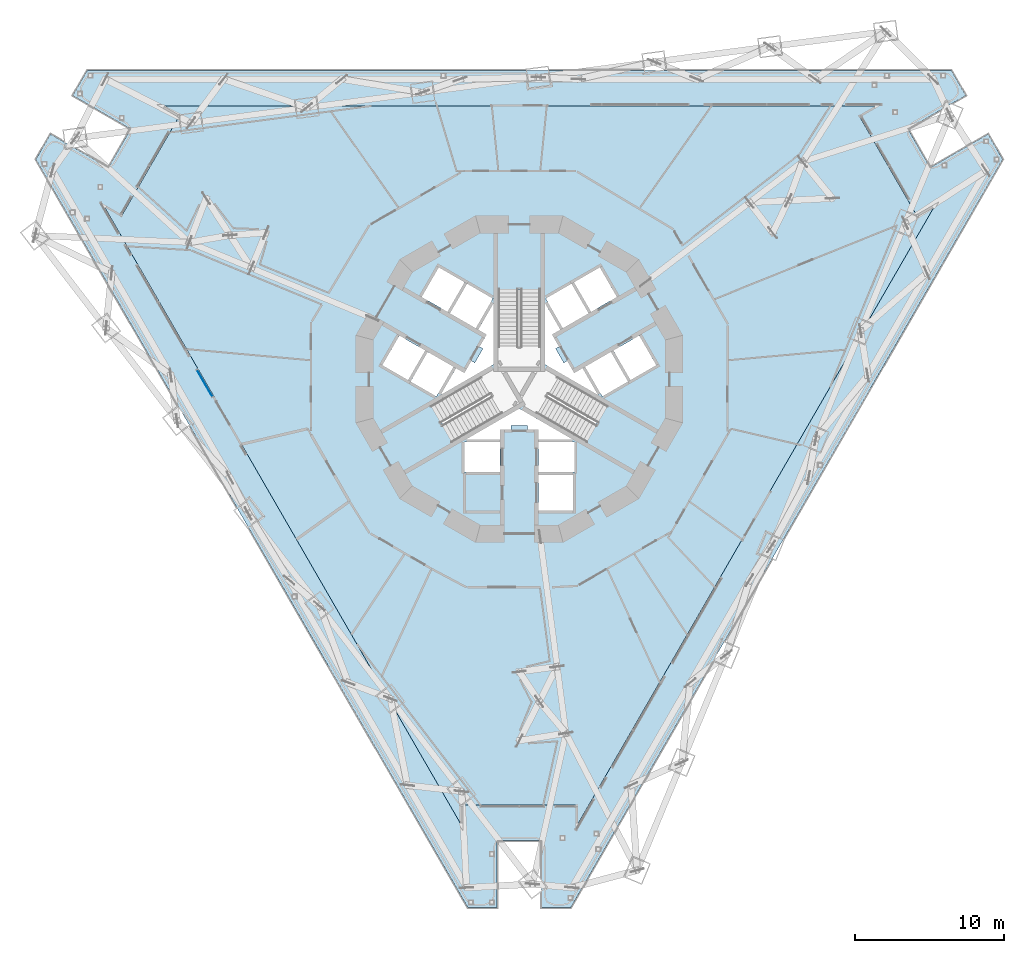
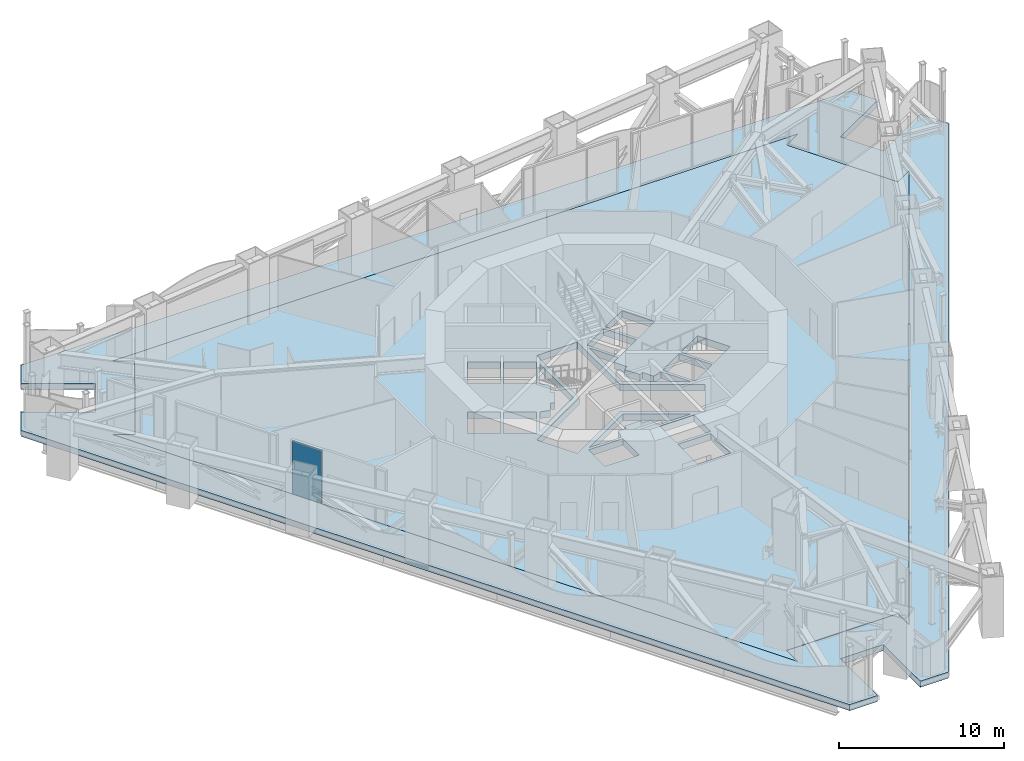
# One storey, part 10 of 28: 2 slabs, 1 plate, 1 element without a shape of its own.
"""IFC4 building model written with IfcOpenShell, lengths in metres."""

from ifc_helpers import new_model, si_unit, direction, frame, origin, origin_2d, place, context, subcontext, project, spatial, polyline, rectangle, outline, extrude, material, layer, layer_set, type_object, element, aggregate, save


model = new_model("IFC4")

# Units and contexts
model_context = context("Model", 3, precision=1e-05, world=origin(), true_north=direction((0.0, 1.0)))
body_context = subcontext(model_context, "Body", "Model", "MODEL_VIEW")
ifc_project = project(units=[si_unit("LENGTHUNIT", "METRE"), si_unit("AREAUNIT", "SQUARE_METRE"), si_unit("VOLUMEUNIT", "CUBIC_METRE"), si_unit("PLANEANGLEUNIT", "RADIAN"), si_unit("MASSUNIT", "GRAM", prefix="KILO")], contexts=[model_context])

# Site, building, storey
site_placement = place(None, origin())
site = spatial("IfcSite", under=ifc_project, at=site_placement, CompositionType="ELEMENT")
building_placement = place(site_placement, origin())
building = spatial("IfcBuilding", under=site, at=building_placement, Name="Trine Commons Tower", CompositionType="ELEMENT")
storey_placement = place(building_placement, frame((0.0, 0.0, 45.89990234375)))
storey = spatial("IfcBuildingStorey", under=building, at=storey_placement, Name="L10", CompositionType="ELEMENT", Elevation=45.89990234375)

# Curtain wall, plate
ifc_material_1 = material(Name="Sky lounge glazing: anodised aluminium frame with low-emissivity double glazed unit, solar control", Category="aluminium")
ifc_layer_1 = layer(ifc_material_1, 0.179931640625)
ifc_layer_set_1 = layer_set([ifc_layer_1], Name="Sky lounge glazing: anodised aluminium frame with low-emissivity double glazed unit, solar control")
curtain_wall_type = type_object("IfcCurtainWallType", Name="Sky lounge glazing curtain wall CW5", PredefinedType="NOTDEFINED", material=ifc_layer_set_1)
curtain_wall_placement = place(storey_placement, origin())
curtain_wall = element("IfcCurtainWall", 1, at=curtain_wall_placement, inside=storey, type_object=curtain_wall_type, Name="Sky lounge glazing L10 F3.2", PredefinedType="NOTDEFINED")
ifc_material_2 = material(Name="Low-emissivity double glazed unit, solar control")
ifc_layer_2 = layer(ifc_material_2, 0.031982421875)
ifc_layer_set_2 = layer_set([ifc_layer_2], Name="Low-emissivity double glazed unit, solar control")
plate_type = type_object("IfcPlateType", Name="Double glazed unit 32 mm (sky floors)", PredefinedType="CURTAIN_PANEL", material=ifc_layer_set_2)
plate_placement = place(storey_placement, frame((58.826904296875, 62.2236328125, 0.1103515625), z_axis=(0.0, 0.0, 1.0), x_axis=(-0.5, 0.866025403784, 0.0)))
plate = element("IfcPlate", 2, at=plate_placement, type_object=plate_type, Name="CW5 panel 1.1", PredefinedType="CURTAIN_PANEL", context=body_context, shape_type="SweptSolid", body=[
    extrude(rectangle(XDim=2.050537109375, YDim=0.031982421875, at=origin_2d()), origin(), (0.0, 0.0, 1.0), 3.929931640625),
])
aggregate(curtain_wall, [plate])

# Slabs
ifc_material_3 = material(Name="Concrete C50/60", Category="concrete")
ifc_layer_3 = layer(ifc_material_3, 0.449951171875)
ifc_layer_set_3 = layer_set([ifc_layer_3], Name="Concrete C50/60")
slab_type_1 = type_object("IfcSlabType", Name="Loggia slab 450 mm, C50/60", PredefinedType="FLOOR", material=ifc_layer_set_3)
slab_1_placement = place(storey_placement, frame((0.0, 0.0, -0.449951171875)))
element("IfcSlab", 3, at=slab_1_placement, inside=storey, type_object=slab_type_1, Name="Loggia slab L10", PredefinedType="FLOOR", context=body_context, shape_type="SweptSolid", body=[
    extrude(outline(polyline([(83.464111328125, 26.930908203125), (112.535888671875, 77.28466796875), (111.5537109375, 78.985595703125), (107.65673828125, 76.735595703125), (106.15673828125, 79.33349609375), (110.0537109375, 81.58349609375), (109.07177734375, 83.28466796875), (50.92822265625, 83.28466796875), (49.9462890625, 81.58349609375), (53.84326171875, 79.33349609375), (52.34326171875, 76.735595703125), (48.4462890625, 78.985595703125), (47.464111328125, 77.28466796875), (76.535888671875, 26.930908203125), (78.5, 26.930908203125), (78.5, 31.430908203125), (81.5, 31.430908203125), (81.5, 26.930908203125), (83.464111328125, 26.930908203125)]), holes=[polyline([(76.10009765625, 32.48583984375), (76.10009765625, 33.830810546875), (83.89990234375, 33.830810546875), (83.89990234375, 32.48583984375), (107.943115234375, 74.129638671875), (106.7783203125, 73.45703125), (102.87841796875, 80.212158203125), (104.043212890625, 80.884521484375), (55.956787109375, 80.884521484375), (57.12158203125, 80.212158203125), (53.2216796875, 73.45703125), (52.056884765625, 74.129638671875), (76.10009765625, 32.48583984375)])]), origin(), (0.0, 0.0, 1.0), 0.449951171875),
])
ifc_layer_4 = layer(ifc_material_3, 0.5)
ifc_layer_set_4 = layer_set([ifc_layer_4], Name="Concrete C50/60")
slab_type_2 = type_object("IfcSlabType", Name="Transfer floor slab 500 mm, C50/60", PredefinedType="FLOOR", material=ifc_layer_set_4)
slab_2_placement = place(storey_placement, frame((0.0, 0.0, -0.5)))
element("IfcSlab", 4, at=slab_2_placement, inside=storey, type_object=slab_type_2, Name="Floor slab L10", PredefinedType="FLOOR", context=body_context, shape_type="SweptSolid", body=[
    extrude(outline(polyline([(52.056884765625, 74.129638671875), (76.10009765625, 32.48583984375), (76.10009765625, 33.830810546875), (83.89990234375, 33.830810546875), (83.89990234375, 32.48583984375), (107.943115234375, 74.129638671875), (106.7783203125, 73.45703125), (102.87841796875, 80.212158203125), (104.043212890625, 80.884521484375), (55.956787109375, 80.884521484375), (57.12158203125, 80.212158203125), (53.2216796875, 73.45703125), (52.056884765625, 74.129638671875)]), holes=[polyline([(76.300048828125, 56.25), (78.699951171875, 56.25), (78.699951171875, 58.25), (76.300048828125, 58.25), (76.300048828125, 56.25)]), polyline([(81.14990234375, 59.10009765625), (81.300048828125, 58.449951171875), (83.56494140625, 58.449951171875), (80.0, 60.508056640625), (76.43505859375, 58.449951171875), (78.699951171875, 58.449951171875), (78.85009765625, 59.10009765625), (79.449951171875, 59.10009765625), (79.449951171875, 59.360107421875), (80.550048828125, 59.360107421875), (80.550048828125, 59.10009765625), (81.14990234375, 59.10009765625)]), polyline([(80.0, 60.8544921875), (84.4755859375, 58.2705078125), (85.900390625, 60.73876953125), (81.425048828125, 63.32275390625), (81.425048828125, 68.490478515625), (78.574951171875, 68.490478515625), (78.574951171875, 63.32275390625), (74.099609375, 60.73876953125), (75.5244140625, 58.2705078125), (80.0, 60.8544921875)]), polyline([(73.83740234375, 64.325927734375), (72.687255859375, 62.333984375), (74.41943359375, 61.333984375), (75.5693359375, 63.325927734375), (73.83740234375, 64.325927734375)]), polyline([(71.93212890625, 65.426025390625), (70.781982421875, 63.43408203125), (72.51416015625, 62.43408203125), (73.6640625, 64.426025390625), (71.93212890625, 65.426025390625)]), polyline([(76.781005859375, 63.722900390625), (76.381103515625, 63.031005859375), (75.742919921875, 63.22607421875), (74.7099609375, 61.43798828125), (78.27490234375, 63.49609375), (78.27490234375, 67.612060546875), (77.242919921875, 65.823974609375), (77.73095703125, 65.368896484375), (77.3310546875, 64.676025390625), (77.555908203125, 64.5458984375), (77.006103515625, 63.593994140625), (76.781005859375, 63.722900390625)]), polyline([(76.4873046875, 68.916015625), (75.33740234375, 66.924072265625), (77.0693359375, 65.924072265625), (78.219482421875, 67.916015625), (76.4873046875, 68.916015625)]), polyline([(74.58203125, 70.015869140625), (73.43212890625, 68.02392578125), (75.1640625, 67.02392578125), (76.314208984375, 69.015869140625), (74.58203125, 70.015869140625)]), polyline([(81.300048828125, 53.64990234375), (83.60009765625, 53.64990234375), (83.60009765625, 56.050048828125), (81.300048828125, 56.050048828125), (81.300048828125, 53.64990234375)]), polyline([(81.300048828125, 56.25), (83.699951171875, 56.25), (83.699951171875, 58.25), (81.300048828125, 58.25), (81.300048828125, 56.25)]), polyline([(87.312744140625, 62.333984375), (86.16259765625, 64.325927734375), (84.4306640625, 63.325927734375), (85.58056640625, 61.333984375), (87.312744140625, 62.333984375)]), polyline([(89.218017578125, 63.43408203125), (88.06787109375, 65.426025390625), (86.3359375, 64.426025390625), (87.48583984375, 62.43408203125), (89.218017578125, 63.43408203125)]), polyline([(83.243896484375, 63.738037109375), (82.993896484375, 63.593994140625), (82.444091796875, 64.5458984375), (82.72705078125, 64.7099609375), (82.281005859375, 65.549072265625), (82.757080078125, 65.823974609375), (81.72509765625, 67.612060546875), (81.72509765625, 63.49609375), (85.2900390625, 61.43798828125), (84.257080078125, 63.22607421875), (83.618896484375, 63.031005859375), (83.243896484375, 63.738037109375)]), polyline([(82.9306640625, 65.924072265625), (84.66259765625, 66.924072265625), (83.5126953125, 68.916015625), (81.780517578125, 67.916015625), (82.9306640625, 65.924072265625)]), polyline([(84.8359375, 67.02392578125), (86.56787109375, 68.02392578125), (85.41796875, 70.015869140625), (83.685791015625, 69.015869140625), (84.8359375, 67.02392578125)])]), origin(), (0.0, 0.0, 1.0), 0.5),
])

save(model, "model.ifc")
